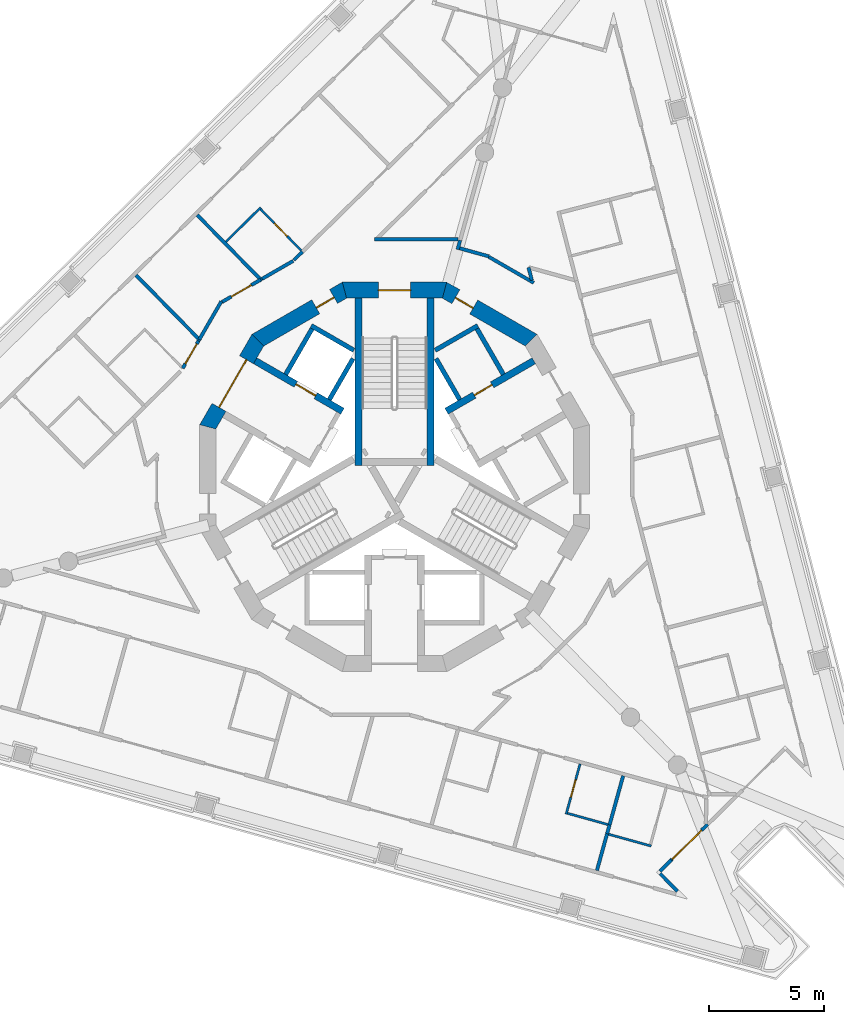
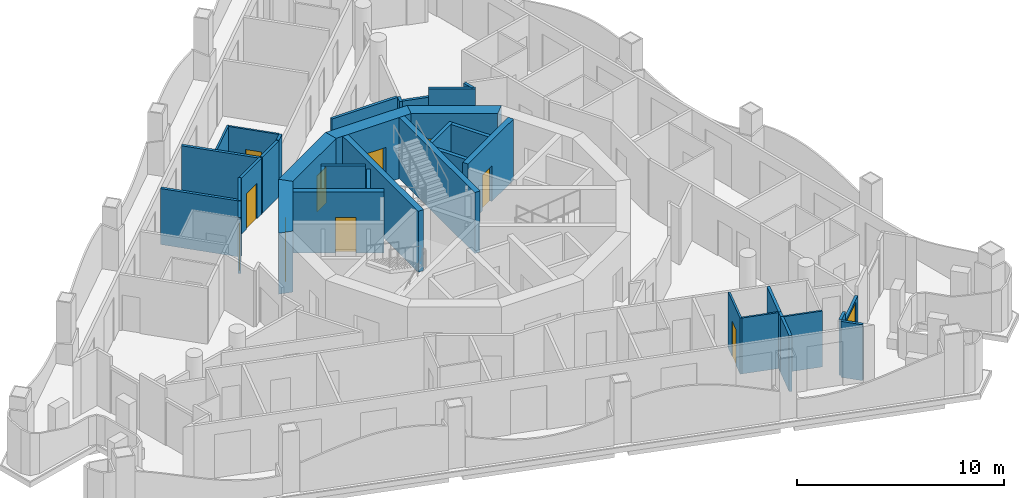
# One storey, part 5 of 14: 37 walls, 11 doors, 11 openings.
"""IFC4 building model written with IfcOpenShell, lengths in metres."""

import ifcopenshell
import ifcopenshell.guid

model = None  # the IFC model being written
_history = None  # IfcOwnerHistory: only IFC2X3 demands one
_inside = {}  # id of a spatial element -> (the spatial element, [elements in it])
_under = {}  # id of a project, library or spatial element -> (it, [spatial elements below it])
_declared = {}  # id of a project -> (the project, [libraries it declares])
_typed = {}  # id of a type object -> (the type object, [elements of that type])
_made_of = {}  # id of a material, layer set ... -> (it, [elements and type objects made of it])


def new_model(schema):
    """Start an empty IFC model of exactly this schema.

    Asked for "IFC4X3", IfcOpenShell would pick the latest addendum, in which some entities
    have other attributes; the version numbers below select the first issue.
    IFC2X3 requires an IfcOwnerHistory on every rooted entity: one is made here for all.
    """
    global model, _history
    if schema == "IFC4X3":
        model = ifcopenshell.file(schema_version=(4, 3, 0, 0))
    else:
        model = ifcopenshell.file(schema=schema)
    _inside.clear()
    _under.clear()
    _declared.clear()
    _typed.clear()
    _made_of.clear()
    _history = None
    if model.schema == "IFC2X3":
        org = make("IfcOrganization", Name="unknown")
        user = make(
            "IfcPersonAndOrganization",
            ThePerson=make("IfcPerson", FamilyName="unknown"),
            TheOrganization=org,
        )
        app = make(
            "IfcApplication",
            ApplicationDeveloper=org,
            Version="unknown",
            ApplicationFullName="unknown",
            ApplicationIdentifier="unknown",
        )
        _history = make(
            "IfcOwnerHistory",
            OwningUser=user,
            OwningApplication=app,
            ChangeAction="ADDED",
            CreationDate=0,
        )
    return model


def make(cls, **values):
    """One entity of the class cls with the attributes given. An attribute that is None is left unset."""
    return model.create_entity(
        cls, **{name: value for name, value in values.items() if value is not None}
    )


def rooted(cls, **values):
    """An entity with a GlobalId (a new one), such as an element, a storey or a relation."""
    return make(cls, GlobalId=ifcopenshell.guid.new(), OwnerHistory=_history, **values)


def si_unit(unit_type, name, prefix=None):
    """IfcSIUnit, for example si_unit("LENGTHUNIT", "METRE", prefix="MILLI")."""
    return make("IfcSIUnit", UnitType=unit_type, Prefix=prefix, Name=name)


def assignment(units):
    """IfcUnitAssignment: the units of a project."""
    return None if units is None else make("IfcUnitAssignment", Units=units)


def point(xyz):
    """IfcCartesianPoint."""
    return None if xyz is None else make("IfcCartesianPoint", Coordinates=xyz)


def direction(xyz):
    """IfcDirection."""
    return None if xyz is None else make("IfcDirection", DirectionRatios=xyz)


def frame(location, z_axis=None, x_axis=None):
    """IfcAxis2Placement3D, a coordinate frame: its origin and axes. An axis left out is left unset."""
    return make(
        "IfcAxis2Placement3D",
        Location=point(location),
        Axis=direction(z_axis),
        RefDirection=direction(x_axis),
    )


def frame_2d(location, x_axis=None):
    """IfcAxis2Placement2D, a coordinate frame in the plane: its origin and x axis."""
    return make(
        "IfcAxis2Placement2D", Location=point(location), RefDirection=direction(x_axis)
    )


def origin():
    """The frame at (0, 0, 0) with its axes left unset."""
    return frame((0.0, 0.0, 0.0))


def place(relative_to, where):
    """IfcLocalPlacement: puts the frame where relative to a parent placement (None: the world)."""
    return make(
        "IfcLocalPlacement", PlacementRelTo=relative_to, RelativePlacement=where
    )


def context(
    kind, dimensions, precision=None, world=None, true_north=None, identifier=None
):
    """IfcGeometricRepresentationContext, for example the 3D "Model" context."""
    return make(
        "IfcGeometricRepresentationContext",
        ContextIdentifier=identifier,
        ContextType=kind,
        CoordinateSpaceDimension=dimensions,
        Precision=precision,
        WorldCoordinateSystem=world,
        TrueNorth=true_north,
    )


def subcontext(parent, identifier, kind, view, scale=None):
    """IfcGeometricRepresentationSubContext, for example "Body" below "Model"."""
    return make(
        "IfcGeometricRepresentationSubContext",
        ContextIdentifier=identifier,
        ContextType=kind,
        ParentContext=parent,
        TargetScale=scale,
        TargetView=view,
    )


def project(units=None, contexts=None):
    """IfcProject with its units and contexts."""
    return rooted(
        "IfcProject",
        Name="project",
        RepresentationContexts=contexts,
        UnitsInContext=assignment(units),
    )


def spatial(cls, under=None, at=None, **own):
    """A site, building, storey or space (cls), placed at a placement, below another one or the project."""
    s = rooted(cls, ObjectPlacement=at, **own)
    if under is not None:
        _under.setdefault(under.id(), (under, []))[1].append(s)
    return s


def polyline(points):
    """IfcPolyline through the points."""
    return make("IfcPolyline", Points=[point(p) for p in points])


def profile(cls, at=None, kind="AREA", **sizes):
    """A parametric profile (cls). Its sizes go by their IFC names, for example OverallWidth=200.0."""
    return make(cls, ProfileType=kind, Position=at, **sizes)


def rectangle(**sizes):
    """IfcRectangleProfileDef."""
    return profile("IfcRectangleProfileDef", **sizes)


def outline(outer, holes=None, kind="AREA"):
    """IfcArbitraryClosedProfileDef: a profile drawn as a closed curve; with holes, ...WithVoids."""
    if holes is None:
        return make("IfcArbitraryClosedProfileDef", ProfileType=kind, OuterCurve=outer)
    return make(
        "IfcArbitraryProfileDefWithVoids",
        ProfileType=kind,
        OuterCurve=outer,
        InnerCurves=holes,
    )


def extrude(swept, where, along, depth):
    """IfcExtrudedAreaSolid: the profile swept, set in the frame where, extruded along a direction by depth."""
    return make(
        "IfcExtrudedAreaSolid",
        SweptArea=swept,
        Position=where,
        ExtrudedDirection=direction(along),
        Depth=depth,
    )


def shape(context_of_items, identifier, shape_type, items):
    """IfcShapeRepresentation: the items that make up one representation, for example the "Body"."""
    return make(
        "IfcShapeRepresentation",
        ContextOfItems=context_of_items,
        RepresentationIdentifier=identifier,
        RepresentationType=shape_type,
        Items=items,
    )


def material(Name=None, Category=None):
    """IfcMaterial."""
    return make("IfcMaterial", Name=Name, Category=Category)


def layer(
    of_material, thickness, ventilated=None, Name=None, Category=None, Priority=None
):
    """IfcMaterialLayer: one layer of a wall or slab, of a material (None: an air gap)."""
    return make(
        "IfcMaterialLayer",
        Material=of_material,
        LayerThickness=thickness,
        IsVentilated=ventilated,
        Name=Name,
        Category=Category,
        Priority=Priority,
    )


def layer_set(layers, Name=None):
    """IfcMaterialLayerSet."""
    return make("IfcMaterialLayerSet", MaterialLayers=layers, LayerSetName=Name)


def made_of(thing, what):
    """Note that an element or type object is made of a material, layer set ...; save() writes the relation."""
    if what is not None:
        _made_of.setdefault(what.id(), (what, []))[1].append(thing)
    return thing


def type_object(cls, material=None, **own):
    """A type object (cls), such as IfcWallType, which elements share."""
    return made_of(rooted(cls, **own), material)


def element(
    cls,
    number,
    at=None,
    inside=None,
    cuts=None,
    type_object=None,
    material=None,
    context=None,
    identifier="Body",
    shape_type=None,
    held_by="IfcProductDefinitionShape",
    body=None,
    shapes=None,
    **own,
):
    """One element of the class cls, such as IfcWall. Its Tag is "e" and its number.

    at: its placement. inside: the storey or other place that contains it. cuts: it is an
    opening in that element (IfcRelVoidsElement). A single representation is given by context,
    identifier, shape_type and body (its items); several are given by shapes. held_by: the class
    of the entity that holds the representations. save() writes the other relations.
    """
    e = rooted(cls, Tag="e%d" % number, ObjectPlacement=at, **own)
    if body is not None:
        shapes = [shape(context, identifier, shape_type, body)]
    if shapes is not None:
        e.Representation = make(held_by, Representations=shapes)
    if inside is not None:
        _inside.setdefault(inside.id(), (inside, []))[1].append(e)
    if cuts is not None:
        rooted(
            "IfcRelVoidsElement", RelatingBuildingElement=cuts, RelatedOpeningElement=e
        )
    if type_object is not None:
        _typed.setdefault(type_object.id(), (type_object, []))[1].append(e)
    return made_of(e, material)


def fill(opening, filler):
    """IfcRelFillsElement: the door or window that sits in an opening."""
    return rooted(
        "IfcRelFillsElement",
        RelatingOpeningElement=opening,
        RelatedBuildingElement=filler,
    )


def aggregate(whole, parts):
    """IfcRelAggregates: a whole, such as a stair, and the parts it consists of."""
    return rooted("IfcRelAggregates", RelatingObject=whole, RelatedObjects=parts)


def save(model, path):
    """Write the relations noted so far, then the file.

    IfcRelAggregates (storeys below a building ...), IfcRelContainedInSpatialStructure (elements
    in a storey), IfcRelDefinesByType, IfcRelAssociatesMaterial and IfcRelDeclares: one each for
    every whole, place, type object, material and project.
    """
    for whole, parts in _under.values():
        aggregate(whole, parts)
    for where, things in _inside.values():
        rooted(
            "IfcRelContainedInSpatialStructure",
            RelatedElements=things,
            RelatingStructure=where,
        )
    for kind, things in _typed.values():
        rooted("IfcRelDefinesByType", RelatedObjects=things, RelatingType=kind)
    for what, things in _made_of.values():
        rooted("IfcRelAssociatesMaterial", RelatedObjects=things, RelatingMaterial=what)
    for by, libraries in _declared.values():
        rooted("IfcRelDeclares", RelatingContext=by, RelatedDefinitions=libraries)
    model.write(path)


model = new_model("IFC4")

# Units and contexts
model_context = context("Model", 3, precision=1e-05, world=origin(), true_north=direction((0.0, 1.0)))
body_context = subcontext(model_context, "Body", "Model", "MODEL_VIEW")
ifc_project = project(units=[si_unit("LENGTHUNIT", "METRE"), si_unit("AREAUNIT", "SQUARE_METRE"), si_unit("VOLUMEUNIT", "CUBIC_METRE"), si_unit("PLANEANGLEUNIT", "RADIAN"), si_unit("MASSUNIT", "GRAM", prefix="KILO")], contexts=[model_context])

# Site, building, storey
site_placement = place(None, origin())
site = spatial("IfcSite", under=ifc_project, at=site_placement, CompositionType="ELEMENT")
building_placement = place(site_placement, origin())
building = spatial("IfcBuilding", under=site, at=building_placement, Name="Trine Commons Tower", CompositionType="ELEMENT")
storey_placement = place(building_placement, frame((0.0, 0.0, 252.89990234375)))
storey = spatial("IfcBuildingStorey", under=building, at=storey_placement, Name="L66", CompositionType="ELEMENT", Elevation=252.89990234375)

# Wall, opening, door
ifc_material_1 = material(Name="Aluminium-framed insulated wall panel", Category="aluminium")
ifc_layer_1 = layer(ifc_material_1, 0.14990234375)
ifc_layer_set_1 = layer_set([ifc_layer_1], Name="Aluminium-framed insulated wall panel")
wall_type_1 = type_object("IfcWallType", Name="Glazed frame wall 150, EI 60", PredefinedType="SOLIDWALL", material=ifc_layer_set_1)
wall_1_placement = place(storey_placement, frame((93.665283203125, 47.3408203125, 0.0), z_axis=(0.0, 0.0, 1.0), x_axis=(-0.713234254618, -0.700925743599, 0.0)))
wall_1 = element("IfcWall", 1, at=wall_1_placement, inside=storey, type_object=wall_type_1, Name="Glazed frame wall P2.4", PredefinedType="SOLIDWALL", context=body_context, shape_type="SweptSolid", body=[
    extrude(outline(polyline([(0.0, -0.074951171875), (2.221435546875, -0.074951171875), (2.221435546875, 0.074951171875), (0.0, 0.074951171875), (0.0, -0.074951171875)])), origin(), (0.0, 0.0, 1.0), 2.75),
])
opening_1_placement = place(wall_1_placement, frame((0.37158203125, 0.0, 0.0)))
opening_1 = element("IfcOpeningElement", 2, at=opening_1_placement, cuts=wall_1, Name="Opening BD-7P2-02", PredefinedType="OPENING", context=body_context, shape_type="SweptSolid", body=[
    extrude(rectangle(XDim=1.800048828125, YDim=2.60009765625, at=frame_2d((0.89990234375, 1.300048828125))), frame((0.0, 0.0849609375, 0.0), z_axis=(0.0, -1.0, 0.0), x_axis=(1.0, 0.0, 0.0)), (0.0, 0.0, 1.0), 0.169921875),
])
ifc_material_2 = material(Name="Anodised aluminium frame with double glazing", Category="aluminium")
door_type_1 = type_object("IfcDoorType", Name="Sliding loggia door 1800x2600", OperationType="SLIDING_TO_LEFT", PredefinedType="DOOR", material=ifc_material_2)
door_1_placement = place(opening_1_placement, origin())
door_1 = element("IfcDoor", 3, at=door_1_placement, inside=storey, type_object=door_type_1, Name="Loggia door P2 2", OperationType="SLIDING_TO_LEFT", OverallHeight=2.60009765625, OverallWidth=1.800048828125, PredefinedType="DOOR", context=body_context, shape_type="SweptSolid", body=[
    extrude(rectangle(XDim=1.800048828125, YDim=2.60009765625, at=frame_2d((0.89990234375, 1.300048828125))), frame((0.0, 0.02490234375, 0.0), z_axis=(0.0, -1.0, 0.0), x_axis=(1.0, 0.0, 0.0)), (0.0, 0.0, 1.0), 0.050048828125),
])
fill(opening_1, door_1)

# Walls
wall_2_placement = place(storey_placement, frame((92.080810546875, 45.78369140625, 0.0), z_axis=(0.0, 0.0, 1.0), x_axis=(-0.713333755576, -0.700824480991, 0.0)))
element("IfcWall", 4, at=wall_2_placement, inside=storey, type_object=wall_type_1, Name="Glazed frame wall P2.5", PredefinedType="SOLIDWALL", context=body_context, shape_type="SweptSolid", body=[
    extrude(outline(polyline([(0.68994140625, 0.074951171875), (0.0, 0.074951171875), (0.0, -0.074951171875), (0.68994140625, -0.074951171875), (0.68994140625, 0.074951171875)])), origin(), (0.0, 0.0, 1.0), 3.300048828125),
])
wall_3_placement = place(storey_placement, frame((91.510498046875, 45.2724609375, 0.0), z_axis=(0.0, 0.0, 1.0), x_axis=(0.700999978355, -0.71316129336, 0.0)))
element("IfcWall", 5, at=wall_3_placement, inside=storey, type_object=wall_type_1, Name="Glazed frame wall R8", PredefinedType="SOLIDWALL", context=body_context, shape_type="SweptSolid", body=[
    extrude(outline(polyline([(0.110107421875, 0.074951171875), (0.110107421875, -0.074951171875), (1.19580078125, -0.074951171875), (1.19580078125, 0.074951171875), (0.110107421875, 0.074951171875)])), origin(), (0.0, 0.0, 1.0), 3.300048828125),
])

# Wall, opening, door
ifc_material_3 = material(Name="Concrete C50/60", Category="concrete")
ifc_layer_2 = layer(ifc_material_3, 0.300048828125)
ifc_layer_set_2 = layer_set([ifc_layer_2], Name="Concrete C50/60")
wall_type_2 = type_object("IfcWallType", Name="RC shear wall 300 mm, C50/60", PredefinedType="SHEAR", material=ifc_layer_set_2)
wall_4_placement = place(storey_placement, frame((77.73095703125, 65.368896484375, 0.0), z_axis=(0.0, 0.0, 1.0), x_axis=(-0.866035918664, 0.499981787252, 0.0)))
wall_4 = element("IfcWall", 6, at=wall_4_placement, inside=storey, type_object=wall_type_2, Name="Core cross wall SWC-02 L66", PredefinedType="SHEAR", context=body_context, shape_type="SweptSolid", body=[
    extrude(rectangle(XDim=4.400634765625, YDim=0.300048828125, at=frame_2d((2.2001953125, 0.0))), origin(), (0.0, 0.0, 1.0), 3.60009765625),
])
opening_2_placement = place(wall_4_placement, frame((1.3505859375, 0.0, 0.0)))
opening_2 = element("IfcOpeningElement", 7, at=opening_2_placement, cuts=wall_4, Name="Opening LD8", PredefinedType="OPENING", context=body_context, shape_type="SweptSolid", body=[
    extrude(rectangle(XDim=1.0, YDim=2.10009765625, at=frame_2d((0.5, 1.050048828125))), frame((0.0, 0.159912109375, 0.0), z_axis=(0.0, -1.0, 0.0), x_axis=(1.0, 0.0, 0.0)), (0.0, 0.0, 1.0), 0.320068359375),
])
ifc_material_4 = material(Name="Stainless steel sliding door leaves", Category="steel")
door_type_2 = type_object("IfcDoorType", Name="Lift landing door, centre-opening sliding 1000 x 2100, FD90", OperationType="DOUBLE_DOOR_SLIDING", PredefinedType="DOOR", material=ifc_material_4)
door_2_placement = place(opening_2_placement, origin())
door_2 = element("IfcDoor", 8, at=door_2_placement, inside=storey, type_object=door_type_2, Name="Lift landing door HR4 L66", OperationType="DOUBLE_DOOR_SLIDING", OverallHeight=2.10009765625, OverallWidth=1.0, PredefinedType="DOOR", context=body_context, shape_type="SweptSolid", body=[
    extrude(rectangle(XDim=1.0, YDim=2.10009765625, at=frame_2d((0.5, 1.050048828125))), frame((0.0, 0.02490234375, 0.0), z_axis=(0.0, -1.0, 0.0), x_axis=(1.0, 0.0, 0.0)), (0.0, 0.0, 1.0), 0.050048828125),
])
fill(opening_2, door_2)

wall_5_placement = place(storey_placement, frame((82.26904296875, 65.368896484375, 0.0), z_axis=(0.0, 0.0, 1.0), x_axis=(0.866035918664, 0.499981787252, 0.0)))
wall_5 = element("IfcWall", 9, at=wall_5_placement, inside=storey, type_object=wall_type_2, Name="Core cross wall SWC-05 L66", PredefinedType="SHEAR", context=body_context, shape_type="SweptSolid", body=[
    extrude(rectangle(XDim=4.400634765625, YDim=0.300048828125, at=frame_2d((2.2001953125, 0.0))), origin(), (0.0, 0.0, 1.0), 3.60009765625),
])
opening_3_placement = place(wall_5_placement, frame((1.400390625, 0.0, 0.0)))
opening_3 = element("IfcOpeningElement", 10, at=opening_3_placement, cuts=wall_5, Name="Opening K16.10", PredefinedType="OPENING", context=body_context, shape_type="SweptSolid", body=[
    extrude(rectangle(XDim=0.89990234375, YDim=2.10009765625, at=frame_2d((0.449951171875, 1.050048828125))), frame((0.0, 0.159912109375, 0.0), z_axis=(0.0, -1.0, 0.0), x_axis=(1.0, 0.0, 0.0)), (0.0, 0.0, 1.0), 0.320068359375),
])
ifc_material_5 = material(Name="Steel door leaf, fire-rated", Category="steel")
door_type_3 = type_object("IfcDoorType", Name="Core room door, single leaf 900 x 2100, FD30S", OperationType="SINGLE_SWING_LEFT", PredefinedType="DOOR", material=ifc_material_5)
door_3_placement = place(opening_3_placement, origin())
door_3 = element("IfcDoor", 11, at=door_3_placement, inside=storey, type_object=door_type_3, Name="Door to Linen store L66", OperationType="SINGLE_SWING_LEFT", OverallHeight=2.10009765625, OverallWidth=0.89990234375, PredefinedType="DOOR", context=body_context, shape_type="SweptSolid", body=[
    extrude(rectangle(XDim=0.89990234375, YDim=2.10009765625, at=frame_2d((0.449951171875, 1.050048828125))), frame((0.0, 0.02490234375, 0.0), z_axis=(0.0, -1.0, 0.0), x_axis=(1.0, 0.0, 0.0)), (0.0, 0.0, 1.0), 0.050048828125),
])
fill(opening_3, door_3)

# Walls
for number, where, z_axis, x_axis, name in (
    (12, (78.425048828125, 63.0009765625, 0.0), (0.0, 0.0, 1.0), (0.0, 1.0, 0.0), "Core cross wall SWC-08 L66"),
    (13, (81.574951171875, 63.0009765625, 0.0), (0.0, 0.0, 1.0), (0.0, 1.0, 0.0), "Core cross wall SWC-17 L66"),
):
    element("IfcWall", number, at=place(storey_placement, frame(where, z_axis=z_axis, x_axis=x_axis)), inside=storey, type_object=wall_type_2, Name=name, PredefinedType="SHEAR", context=body_context, shape_type="SweptSolid", body=[
        extrude(rectangle(XDim=7.299072265625, YDim=0.300048828125, at=frame_2d((3.6494140625, 0.0))), origin(), (0.0, 0.0, 1.0), 3.60009765625),
    ])

# Wall, opening, door
ifc_layer_3 = layer(ifc_material_3, 0.699951171875)
ifc_layer_set_3 = layer_set([ifc_layer_3], Name="Concrete C50/60")
wall_type_3 = type_object("IfcWallType", Name="RC shear wall 700 mm, C50/60", PredefinedType="SHEAR", material=ifc_layer_set_3)
wall_6_placement = place(storey_placement, frame((86.047607421875, 68.41943359375, 0.0), z_axis=(0.0, 0.0, 1.0), x_axis=(-0.866034756103, 0.499983800959, 0.0)))
wall_6 = element("IfcWall", 14, at=wall_6_placement, inside=storey, type_object=wall_type_3, Name="Core wall CWG-03 L66", PredefinedType="SHEAR", context=body_context, shape_type="SweptSolid", body=[
    extrude(outline(polyline([(0.0, -0.35009765625), (4.55517578125, -0.35009765625), (4.36767578125, 0.35009765625), (0.1875, 0.35009765625), (0.0, -0.35009765625)])), origin(), (0.0, 0.0, 1.0), 3.60009765625),
])
opening_4_placement = place(wall_6_placement, frame((2.990966796875, 0.0, 0.0)))
opening_4 = element("IfcOpeningElement", 15, at=opening_4_placement, cuts=wall_6, Name="Opening K16.12", PredefinedType="OPENING", context=body_context, shape_type="SweptSolid", body=[
    extrude(rectangle(XDim=0.89990234375, YDim=2.10009765625, at=frame_2d((0.449951171875, 1.050048828125))), frame((0.0, 0.35986328125, 0.0), z_axis=(0.0, -1.0, 0.0), x_axis=(1.0, 0.0, 0.0)), (0.0, 0.0, 1.0), 0.719970703125),
])
door_4_placement = place(opening_4_placement, origin())
door_4 = element("IfcDoor", 16, at=door_4_placement, inside=storey, type_object=door_type_3, Name="Door to Core WC L66", OperationType="SINGLE_SWING_RIGHT", OverallHeight=2.10009765625, OverallWidth=0.89990234375, PredefinedType="DOOR", context=body_context, shape_type="SweptSolid", body=[
    extrude(rectangle(XDim=0.89990234375, YDim=2.10009765625, at=frame_2d((0.449951171875, 1.050048828125))), frame((0.0, 0.0751953125, 0.0), z_axis=(0.0, -1.0, 0.0), x_axis=(1.0, 0.0, 0.0)), (0.0, 0.0, 1.0), 0.050048828125),
])
fill(opening_4, door_4)

wall_7_placement = place(storey_placement, frame((82.277587890625, 70.650146484375, 0.0), z_axis=(0.0, 0.0, 1.0), x_axis=(-1.0, 0.0, 0.0)))
wall_7 = element("IfcWall", 17, at=wall_7_placement, inside=storey, type_object=wall_type_3, Name="Core wall CWG-04 L66", PredefinedType="SHEAR", context=body_context, shape_type="SweptSolid", body=[
    extrude(outline(polyline([(0.0, -0.35009765625), (4.55517578125, -0.35009765625), (4.36767578125, 0.35009765625), (0.1875, 0.35009765625), (0.0, -0.35009765625)])), origin(), (0.0, 0.0, 1.0), 3.60009765625),
])
opening_5_placement = place(wall_7_placement, frame((1.57763671875, 0.0, 0.0)))
opening_5 = element("IfcOpeningElement", 18, at=opening_5_placement, cuts=wall_7, Name="Opening K16.01", PredefinedType="OPENING", context=body_context, shape_type="SweptSolid", body=[
    extrude(rectangle(XDim=1.39990234375, YDim=2.10009765625, at=frame_2d((0.699951171875, 1.050048828125))), frame((0.0, 0.35986328125, 0.0), z_axis=(0.0, -1.0, 0.0), x_axis=(1.0, 0.0, 0.0)), (0.0, 0.0, 1.0), 0.719970703125),
])
ifc_material_6 = material(Name="Steel door leaves, fire-rated", Category="steel")
door_type_4 = type_object("IfcDoorType", Name="Stair door, double leaf 1400 x 2100, FD90", OperationType="DOUBLE_DOOR_SINGLE_SWING", PredefinedType="DOOR", material=ifc_material_6)
door_5_placement = place(opening_5_placement, origin())
door_5 = element("IfcDoor", 19, at=door_5_placement, inside=storey, type_object=door_type_4, Name="Stair door to Exit stair ST1C L66", OperationType="DOUBLE_DOOR_SINGLE_SWING", OverallHeight=2.10009765625, OverallWidth=1.39990234375, PredefinedType="DOOR", context=body_context, shape_type="SweptSolid", body=[
    extrude(rectangle(XDim=1.39990234375, YDim=2.10009765625, at=frame_2d((0.699951171875, 1.050048828125))), frame((0.0, 0.02490234375, 0.0), z_axis=(0.0, -1.0, 0.0), x_axis=(1.0, 0.0, 0.0)), (0.0, 0.0, 1.0), 0.050048828125),
])
fill(opening_5, door_5)

wall_8_placement = place(storey_placement, frame((77.8974609375, 70.697021484375, 0.0), z_axis=(0.0, 0.0, 1.0), x_axis=(-0.866034756103, -0.499983800959, 0.0)))
wall_8 = element("IfcWall", 20, at=wall_8_placement, inside=storey, type_object=wall_type_3, Name="Core wall CWG-05 L66", PredefinedType="SHEAR", context=body_context, shape_type="SweptSolid", body=[
    extrude(outline(polyline([(0.0, -0.35009765625), (4.55517578125, -0.35009765625), (4.36767578125, 0.35009765625), (0.1875, 0.35009765625), (0.0, -0.35009765625)])), origin(), (0.0, 0.0, 1.0), 3.60009765625),
])
opening_6_placement = place(wall_8_placement, frame((0.641845703125, 0.0, 0.0)))
opening_6 = element("IfcOpeningElement", 21, at=opening_6_placement, cuts=wall_8, Name="Opening K16.13", PredefinedType="OPENING", context=body_context, shape_type="SweptSolid", body=[
    extrude(rectangle(XDim=0.89990234375, YDim=2.10009765625, at=frame_2d((0.449951171875, 1.050048828125))), frame((0.0, 0.35986328125, 0.0), z_axis=(0.0, -1.0, 0.0), x_axis=(1.0, 0.0, 0.0)), (0.0, 0.0, 1.0), 0.719970703125),
])
door_6_placement = place(opening_6_placement, origin())
door_6 = element("IfcDoor", 22, at=door_6_placement, inside=storey, type_object=door_type_3, Name="Door to Accessible WC L66", OperationType="SINGLE_SWING_LEFT", OverallHeight=2.10009765625, OverallWidth=0.89990234375, PredefinedType="DOOR", context=body_context, shape_type="SweptSolid", body=[
    extrude(rectangle(XDim=0.89990234375, YDim=2.10009765625, at=frame_2d((0.449951171875, 1.050048828125))), frame((0.0, 0.0751953125, 0.0), z_axis=(0.0, -1.0, 0.0), x_axis=(1.0, 0.0, 0.0)), (0.0, 0.0, 1.0), 0.050048828125),
])
fill(opening_6, door_6)

wall_9_placement = place(storey_placement, frame((74.08056640625, 68.547607421875, 0.0), z_axis=(0.0, 0.0, 1.0), x_axis=(-0.499983800959, -0.866034756103, 0.0)))
wall_9 = element("IfcWall", 23, at=wall_9_placement, inside=storey, type_object=wall_type_3, Name="Core wall CWG-06 L66", PredefinedType="SHEAR", context=body_context, shape_type="SweptSolid", body=[
    extrude(outline(polyline([(0.0, -0.35009765625), (4.55517578125, -0.35009765625), (4.36767578125, 0.35009765625), (0.1875, 0.35009765625), (0.0, -0.35009765625)])), origin(), (0.0, 0.0, 1.0), 3.60009765625),
])
opening_7_placement = place(wall_9_placement, frame((1.077392578125, 0.0, 0.0)))
opening_7 = element("IfcOpeningElement", 24, at=opening_7_placement, cuts=wall_9, Name="Opening K16.06", PredefinedType="OPENING", context=body_context, shape_type="SweptSolid", body=[
    extrude(rectangle(XDim=2.39990234375, YDim=2.10009765625, at=frame_2d((1.199951171875, 1.050048828125))), frame((0.0, 0.35986328125, 0.0), z_axis=(0.0, -1.0, 0.0), x_axis=(1.0, 0.0, 0.0)), (0.0, 0.0, 1.0), 0.719970703125),
])
door_type_5 = type_object("IfcDoorType", Name="Lobby door, double leaf 2400 x 2100, FD60", OperationType="DOUBLE_DOOR_SINGLE_SWING", PredefinedType="DOOR", material=ifc_material_6)
door_7_placement = place(opening_7_placement, origin())
door_7 = element("IfcDoor", 25, at=door_7_placement, inside=storey, type_object=door_type_5, Name="Lobby door, Passenger lift lobby B L66", OperationType="DOUBLE_DOOR_SINGLE_SWING", OverallHeight=2.10009765625, OverallWidth=2.39990234375, PredefinedType="DOOR", context=body_context, shape_type="SweptSolid", body=[
    extrude(rectangle(XDim=2.39990234375, YDim=2.10009765625, at=frame_2d((1.199951171875, 1.050048828125))), frame((0.0, 0.02490234375, 0.0), z_axis=(0.0, -1.0, 0.0), x_axis=(1.0, 0.0, 0.0)), (0.0, 0.0, 1.0), 0.050048828125),
])
fill(opening_7, door_7)

# Walls
ifc_material_7 = material(Name="Fire-rated gypsum shaft wall system")
ifc_layer_4 = layer(ifc_material_7, 0.199951171875)
ifc_layer_set_4 = layer_set([ifc_layer_4], Name="Fire-rated gypsum shaft wall system")
wall_type_4 = type_object("IfcWallType", Name="Shaft wall 200 mm, EI 120", PredefinedType="PARTITIONING", material=ifc_layer_set_4)
wall_10_placement = place(storey_placement, frame((75.2509765625, 66.97412109375, 0.0), z_axis=(0.0, 0.0, 1.0), x_axis=(0.500136062276, 0.86594683394, 0.0)))
element("IfcWall", 26, at=wall_10_placement, inside=storey, type_object=wall_type_4, Name="Shaft wall L66", PredefinedType="PARTITIONING", context=body_context, shape_type="SweptSolid", body=[
    extrude(rectangle(XDim=2.299072265625, YDim=0.199951171875, at=frame_2d((1.1494140625, 0.0))), origin(), (0.0, 0.0, 1.0), 3.300048828125),
])
wall_11_placement = place(storey_placement, frame((77.156005859375, 65.8740234375, 0.0), z_axis=(0.0, 0.0, 1.0), x_axis=(0.499865770674, 0.866102887253, 0.0)))
element("IfcWall", 27, at=wall_11_placement, inside=storey, type_object=wall_type_4, Name="Shaft wall L66", PredefinedType="PARTITIONING", context=body_context, shape_type="SweptSolid", body=[
    extrude(rectangle(XDim=2.064453125, YDim=0.199951171875, at=frame_2d((1.0322265625, 0.0))), origin(), (0.0, 0.0, 1.0), 3.300048828125),
])
for number, where, z_axis, x_axis, name in (
    (28, (78.22509765625, 68.028076171875, 0.0), (0.0, 0.0, 1.0), (-0.866130725101, 0.499817533742, 0.0), "Shaft wall L66"),
    (29, (81.77490234375, 68.028076171875, 0.0), (0.0, 0.0, 1.0), (0.866130725101, 0.499817533742, 0.0), "Shaft wall L66"),
):
    element("IfcWall", number, at=place(storey_placement, frame(where, z_axis=z_axis, x_axis=x_axis)), inside=storey, type_object=wall_type_4, Name=name, PredefinedType="PARTITIONING", context=body_context, shape_type="SweptSolid", body=[
        extrude(rectangle(XDim=2.148681640625, YDim=0.199951171875, at=frame_2d((1.07421875, 0.0))), origin(), (0.0, 0.0, 1.0), 3.300048828125),
    ])
wall_12_placement = place(storey_placement, frame((82.843994140625, 65.8740234375, 0.0), z_axis=(0.0, 0.0, 1.0), x_axis=(-0.499865770674, 0.866102887253, 0.0)))
element("IfcWall", 30, at=wall_12_placement, inside=storey, type_object=wall_type_4, Name="Shaft wall L66", PredefinedType="PARTITIONING", context=body_context, shape_type="SweptSolid", body=[
    extrude(rectangle(XDim=2.064453125, YDim=0.199951171875, at=frame_2d((1.0322265625, 0.0))), origin(), (0.0, 0.0, 1.0), 3.300048828125),
])
wall_13_placement = place(storey_placement, frame((84.7490234375, 66.97412109375, 0.0), z_axis=(0.0, 0.0, 1.0), x_axis=(-0.500136062276, 0.86594683394, 0.0)))
element("IfcWall", 31, at=wall_13_placement, inside=storey, type_object=wall_type_4, Name="Shaft wall L66", PredefinedType="PARTITIONING", context=body_context, shape_type="SweptSolid", body=[
    extrude(rectangle(XDim=2.299072265625, YDim=0.199951171875, at=frame_2d((1.1494140625, 0.0))), origin(), (0.0, 0.0, 1.0), 3.300048828125),
])
ifc_material_8 = material(Name="Gypsum plasterboard on steel stud", Category="steel")
ifc_layer_5 = layer(ifc_material_8, 0.14990234375)
ifc_layer_set_5 = layer_set([ifc_layer_5], Name="Gypsum plasterboard on steel stud")
wall_type_5 = type_object("IfcWallType", Name="Unit and corridor wall 150 mm, EI 60", PredefinedType="PARTITIONING", material=ifc_layer_set_5)
wall_14_placement = place(storey_placement, frame((68.720947265625, 71.3076171875, 0.0), z_axis=(0.0, 0.0, 1.0), x_axis=(0.700815785944, -0.713342298039, 0.0)))
element("IfcWall", 32, at=wall_14_placement, inside=storey, type_object=wall_type_5, Name="Partition 020", PredefinedType="PARTITIONING", context=body_context, shape_type="SweptSolid", body=[
    extrude(rectangle(XDim=4.014892578125, YDim=0.14990234375, at=frame_2d((2.00732421875, 0.0))), origin(), (0.0, 0.0, 1.0), 3.300048828125),
])

# Wall, opening, door
wall_15_placement = place(storey_placement, frame((70.758056640625, 67.242919921875, 0.0), z_axis=(0.0, 0.0, 1.0), x_axis=(0.49979916758, 0.866141323391, 0.0)))
wall_15 = element("IfcWall", 33, at=wall_15_placement, inside=storey, type_object=wall_type_5, Name="Partition 028", PredefinedType="PARTITIONING", context=body_context, shape_type="SweptSolid", body=[
    extrude(rectangle(XDim=1.37744140625, YDim=0.14990234375, at=frame_2d((0.688720703125, 0.0))), origin(), (0.0, 0.0, 1.0), 3.300048828125),
])
opening_8_placement = place(wall_15_placement, frame((0.2275390625, 0.0, 0.0)))
opening_8 = element("IfcOpeningElement", 34, at=opening_8_placement, cuts=wall_15, Name="Opening D-7B05", PredefinedType="OPENING", context=body_context, shape_type="SweptSolid", body=[
    extrude(rectangle(XDim=1.0, YDim=2.10009765625, at=frame_2d((0.5, 1.050048828125))), frame((0.0, 0.0849609375, 0.0), z_axis=(0.0, -1.0, 0.0), x_axis=(1.0, 0.0, 0.0)), (0.0, 0.0, 1.0), 0.169921875),
])
ifc_material_9 = material(Name="Timber fire door set", Category="wood")
door_type_6 = type_object("IfcDoorType", Name="Bedroom door 1000 x 2100, FD30S", OperationType="NOTDEFINED", PredefinedType="DOOR", material=ifc_material_9)
door_8_placement = place(opening_8_placement, origin())
door_8 = element("IfcDoor", 35, at=door_8_placement, inside=storey, type_object=door_type_6, Name="Door D-7B05", OperationType="SINGLE_SWING_RIGHT", OverallHeight=2.10009765625, OverallWidth=1.0, PredefinedType="DOOR", context=body_context, shape_type="SweptSolid", body=[
    extrude(rectangle(XDim=1.0, YDim=2.10009765625, at=frame_2d((0.5, 1.050048828125))), frame((0.0, 0.02490234375, 0.0), z_axis=(0.0, -1.0, 0.0), x_axis=(1.0, 0.0, 0.0)), (0.0, 0.0, 1.0), 0.050048828125),
])
fill(opening_8, door_8)

# Walls
wall_16_placement = place(storey_placement, frame((71.389892578125, 73.931396484375, 0.0), z_axis=(0.0, 0.0, 1.0), x_axis=(0.700963396894, -0.713197249164, 0.0)))
element("IfcWall", 36, at=wall_16_placement, inside=storey, type_object=wall_type_5, Name="Partition 029", PredefinedType="PARTITIONING", context=body_context, shape_type="SweptSolid", body=[
    extrude(rectangle(XDim=4.03125, YDim=0.14990234375, at=frame_2d((2.015625, 0.0))), origin(), (0.0, 0.0, 1.0), 3.300048828125),
])
wall_17_placement = place(storey_placement, frame((71.47998046875, 68.493896484375, 0.0), z_axis=(0.0, 0.0, 1.0), x_axis=(0.500205717672, 0.865906600049, 0.0)))
element("IfcWall", 37, at=wall_17_placement, inside=storey, type_object=wall_type_5, Name="Partition 030", PredefinedType="PARTITIONING", context=body_context, shape_type="SweptSolid", body=[
    extrude(rectangle(XDim=1.924072265625, YDim=0.14990234375, at=frame_2d((0.9619140625, 0.0))), origin(), (0.0, 0.0, 1.0), 3.300048828125),
])

# Wall, opening, door
wall_18_placement = place(storey_placement, frame((72.469970703125, 70.132568359375, 0.0), z_axis=(0.0, 0.0, 1.0), x_axis=(0.865963449651, 0.500107292357, 0.0)))
wall_18 = element("IfcWall", 38, at=wall_18_placement, inside=storey, type_object=wall_type_5, Name="Partition 031", PredefinedType="PARTITIONING", context=body_context, shape_type="SweptSolid", body=[
    extrude(rectangle(XDim=1.95849609375, YDim=0.14990234375, at=frame_2d((0.979248046875, 0.0))), origin(), (0.0, 0.0, 1.0), 3.300048828125),
])
opening_9_placement = place(wall_18_placement, frame((0.4775390625, 0.0, 0.0)))
opening_9 = element("IfcOpeningElement", 39, at=opening_9_placement, cuts=wall_18, Name="Opening D-7B06", PredefinedType="OPENING", context=body_context, shape_type="SweptSolid", body=[
    extrude(rectangle(XDim=1.0, YDim=2.10009765625, at=frame_2d((0.5, 1.050048828125))), frame((0.0, 0.0849609375, 0.0), z_axis=(0.0, -1.0, 0.0), x_axis=(1.0, 0.0, 0.0)), (0.0, 0.0, 1.0), 0.169921875),
])
ifc_material_10 = material(Name="Painted timber", Category="wood")
door_type_7 = type_object("IfcDoorType", Name="Amenity room door 1000 x 2100, NOT RATED", OperationType="NOTDEFINED", PredefinedType="DOOR", material=ifc_material_10)
door_9_placement = place(opening_9_placement, origin())
door_9 = element("IfcDoor", 40, at=door_9_placement, inside=storey, type_object=door_type_7, Name="Door D-7B06", OperationType="SINGLE_SWING_LEFT", OverallHeight=2.10009765625, OverallWidth=1.0, PredefinedType="DOOR", context=body_context, shape_type="SweptSolid", body=[
    extrude(rectangle(XDim=1.0, YDim=2.10009765625, at=frame_2d((0.5, 1.050048828125))), frame((0.0, 0.02490234375, 0.0), z_axis=(0.0, -1.0, 0.0), x_axis=(1.0, 0.0, 0.0)), (0.0, 0.0, 1.0), 0.050048828125),
])
fill(opening_9, door_9)

# Walls
wall_19_placement = place(storey_placement, frame((74.22412109375, 71.1455078125, 0.0), z_axis=(0.0, 0.0, 1.0), x_axis=(0.866052944554, 0.499952294954, 0.0)))
element("IfcWall", 41, at=wall_19_placement, inside=storey, type_object=wall_type_5, Name="Partition 038", PredefinedType="PARTITIONING", context=body_context, shape_type="SweptSolid", body=[
    extrude(rectangle(XDim=1.563232421875, YDim=0.14990234375, at=frame_2d((0.78173828125, 0.0))), origin(), (0.0, 0.0, 1.0), 3.300048828125),
])
wall_20_placement = place(storey_placement, frame((75.60498046875, 71.9599609375, 0.0), z_axis=(0.0, 0.0, 1.0), x_axis=(0.713530452505, 0.70062421693, 0.0)))
element("IfcWall", 42, at=wall_20_placement, inside=storey, type_object=wall_type_5, Name="Partition 041", PredefinedType="PARTITIONING", context=body_context, shape_type="SweptSolid", body=[
    extrude(rectangle(XDim=0.529541015625, YDim=0.14990234375, at=frame_2d((0.2646484375, 0.0))), origin(), (0.0, 0.0, 1.0), 3.300048828125),
])
wall_21_placement = place(storey_placement, frame((79.133056640625, 72.875, 0.0), z_axis=(0.0, 0.0, 1.0), x_axis=(1.0, 0.0, 0.0)))
element("IfcWall", 43, at=wall_21_placement, inside=storey, type_object=wall_type_5, Name="Partition 046", PredefinedType="PARTITIONING", context=body_context, shape_type="SweptSolid", body=[
    extrude(rectangle(XDim=3.64697265625, YDim=0.14990234375, at=frame_2d((1.823486328125, 0.0))), origin(), (0.0, 0.0, 1.0), 2.800048828125),
])
wall_22_placement = place(storey_placement, frame((82.7529296875, 72.42578125, 0.0), z_axis=(0.0, 0.0, 1.0), x_axis=(0.266887464326, 0.96372770085, 0.0)))
element("IfcWall", 44, at=wall_22_placement, inside=storey, type_object=wall_type_5, Name="Partition 055", PredefinedType="PARTITIONING", context=body_context, shape_type="SweptSolid", body=[
    extrude(rectangle(XDim=0.416259765625, YDim=0.14990234375, at=frame_2d((0.2080078125, 0.0))), origin(), (0.0, 0.0, 1.0), 2.800048828125),
])
wall_23_placement = place(storey_placement, frame((82.84521484375, 72.477783203125, 0.0), z_axis=(0.0, 0.0, 1.0), x_axis=(0.963623826389, -0.267262270467, 0.0)))
element("IfcWall", 45, at=wall_23_placement, inside=storey, type_object=wall_type_5, Name="Partition 056", PredefinedType="PARTITIONING", context=body_context, shape_type="SweptSolid", body=[
    extrude(rectangle(XDim=1.320068359375, YDim=0.14990234375, at=frame_2d((0.66015625, 0.0))), origin(), (0.0, 0.0, 1.0), 2.800048828125),
])
wall_24_placement = place(storey_placement, frame((84.10986328125, 72.107421875, 0.0), z_axis=(0.0, 0.0, 1.0), x_axis=(0.865965412825, -0.500103892997, 0.0)))
element("IfcWall", 46, at=wall_24_placement, inside=storey, type_object=wall_type_5, Name="Partition 060", PredefinedType="PARTITIONING", context=body_context, shape_type="SweptSolid", body=[
    extrude(rectangle(XDim=2.271484375, YDim=0.14990234375, at=frame_2d((1.1357421875, 0.0))), origin(), (0.0, 0.0, 1.0), 3.300048828125),
])
wall_25_placement = place(storey_placement, frame((85.847900390625, 71.64208984375, 0.0), z_axis=(0.0, 0.0, 1.0), x_axis=(0.250859734684, -0.968023446779, 0.0)))
element("IfcWall", 47, at=wall_25_placement, inside=storey, type_object=wall_type_5, Name="Partition 068", PredefinedType="PARTITIONING", context=body_context, shape_type="SweptSolid", body=[
    extrude(rectangle(XDim=0.5791015625, YDim=0.14990234375, at=frame_2d((0.28955078125, 0.0))), origin(), (0.0, 0.0, 1.0), 3.300048828125),
])
wall_26_placement = place(storey_placement, frame((88.832763671875, 45.327392578125, 0.0), z_axis=(0.0, 0.0, 1.0), x_axis=(0.266961047932, 0.963707320138, 0.0)))
element("IfcWall", 48, at=wall_26_placement, inside=storey, type_object=wall_type_5, Name="Partition 084", PredefinedType="PARTITIONING", context=body_context, shape_type="SweptSolid", body=[
    extrude(rectangle(XDim=1.659912109375, YDim=0.14990234375, at=frame_2d((0.830078125, 0.0))), origin(), (0.0, 0.0, 1.0), 3.300048828125),
])
wall_27_placement = place(storey_placement, frame((89.27587890625, 46.927001953125, 0.0), z_axis=(0.0, 0.0, 1.0), x_axis=(0.267924588636, 0.963439886451, 0.0)))
element("IfcWall", 49, at=wall_27_placement, inside=storey, type_object=wall_type_5, Name="Partition 085", PredefinedType="PARTITIONING", context=body_context, shape_type="SweptSolid", body=[
    extrude(rectangle(XDim=0.403564453125, YDim=0.14990234375, at=frame_2d((0.20166015625, 0.0))), origin(), (0.0, 0.0, 1.0), 3.300048828125),
])
wall_28_placement = place(storey_placement, frame((89.36865234375, 47.259765625, 0.0), z_axis=(0.0, 0.0, 1.0), x_axis=(0.266876022504, 0.963730869388, 0.0)))
element("IfcWall", 50, at=wall_28_placement, inside=storey, type_object=wall_type_5, Name="Partition 088", PredefinedType="PARTITIONING", context=body_context, shape_type="SweptSolid", body=[
    extrude(rectangle(XDim=2.27978515625, YDim=0.14990234375, at=frame_2d((1.139892578125, 0.0))), origin(), (0.0, 0.0, 1.0), 3.300048828125),
])
ifc_layer_6 = layer(ifc_material_8, 0.10009765625)
ifc_layer_set_6 = layer_set([ifc_layer_6], Name="Gypsum plasterboard on steel stud")
wall_type_6 = type_object("IfcWallType", Name="Unit partition 100 mm, no rating", PredefinedType="PARTITIONING", material=ifc_layer_set_6)
wall_29_placement = place(storey_placement, frame((72.642578125, 72.7646484375, 0.0), z_axis=(0.0, 0.0, 1.0), x_axis=(0.713113671813, 0.701048422773, 0.0)))
element("IfcWall", 51, at=wall_29_placement, inside=storey, type_object=wall_type_6, Name="Partition 032", PredefinedType="PARTITIONING", context=body_context, shape_type="SweptSolid", body=[
    extrude(rectangle(XDim=2.124755859375, YDim=0.10009765625, at=frame_2d((1.0625, 0.0))), origin(), (0.0, 0.0, 1.0), 3.300048828125),
])

# Wall, opening, door
wall_30_placement = place(storey_placement, frame((74.156982421875, 74.183349609375, 0.0), z_axis=(0.0, 0.0, 1.0), x_axis=(0.700894228611, -0.713265224373, 0.0)))
wall_30 = element("IfcWall", 52, at=wall_30_placement, inside=storey, type_object=wall_type_6, Name="Partition 037", PredefinedType="PARTITIONING", context=body_context, shape_type="SweptSolid", body=[
    extrude(rectangle(XDim=2.526123046875, YDim=0.10009765625, at=frame_2d((1.26318359375, 0.0))), origin(), (0.0, 0.0, 1.0), 3.300048828125),
])
opening_10_placement = place(wall_30_placement, frame((0.863037109375, 0.0, 0.0)))
opening_10 = element("IfcOpeningElement", 53, at=opening_10_placement, cuts=wall_30, Name="Opening D-7B28", PredefinedType="OPENING", context=body_context, shape_type="SweptSolid", body=[
    extrude(rectangle(XDim=0.800048828125, YDim=2.10009765625, at=frame_2d((0.39990234375, 1.050048828125))), frame((0.0, 0.06005859375, 0.0), z_axis=(0.0, -1.0, 0.0), x_axis=(1.0, 0.0, 0.0)), (0.0, 0.0, 1.0), 0.1201171875),
])
door_type_8 = type_object("IfcDoorType", Name="Internal door 800 x 2100, NOT RATED", OperationType="NOTDEFINED", PredefinedType="DOOR", material=ifc_material_10)
door_10_placement = place(opening_10_placement, origin())
door_10 = element("IfcDoor", 54, at=door_10_placement, inside=storey, type_object=door_type_8, Name="Door D-7B28", OperationType="SINGLE_SWING_LEFT", OverallHeight=2.10009765625, OverallWidth=0.800048828125, PredefinedType="DOOR", context=body_context, shape_type="SweptSolid", body=[
    extrude(rectangle(XDim=0.800048828125, YDim=2.10009765625, at=frame_2d((0.39990234375, 1.050048828125))), frame((0.0, 0.02490234375, 0.0), z_axis=(0.0, -1.0, 0.0), x_axis=(1.0, 0.0, 0.0)), (0.0, 0.0, 1.0), 0.050048828125),
])
fill(opening_10, door_10)

wall_31_placement = place(storey_placement, frame((87.490478515625, 47.785888671875, 0.0), z_axis=(0.0, 0.0, 1.0), x_axis=(0.267056991967, 0.963680737092, 0.0)))
wall_31 = element("IfcWall", 55, at=wall_31_placement, inside=storey, type_object=wall_type_6, Name="Partition 074", PredefinedType="PARTITIONING", context=body_context, shape_type="SweptSolid", body=[
    extrude(rectangle(XDim=2.2744140625, YDim=0.10009765625, at=frame_2d((1.13720703125, 0.0))), origin(), (0.0, 0.0, 1.0), 3.300048828125),
])
opening_11_placement = place(wall_31_placement, frame((0.76220703125, 0.0, 0.0)))
opening_11 = element("IfcOpeningElement", 56, at=opening_11_placement, cuts=wall_31, Name="Opening D-7B36", PredefinedType="OPENING", context=body_context, shape_type="SweptSolid", body=[
    extrude(rectangle(XDim=0.800048828125, YDim=2.10009765625, at=frame_2d((0.39990234375, 1.050048828125))), frame((0.0, 0.06005859375, 0.0), z_axis=(0.0, -1.0, 0.0), x_axis=(1.0, 0.0, 0.0)), (0.0, 0.0, 1.0), 0.1201171875),
])
door_11_placement = place(opening_11_placement, origin())
door_11 = element("IfcDoor", 57, at=door_11_placement, inside=storey, type_object=door_type_8, Name="Door D-7B36", OperationType="SINGLE_SWING_RIGHT", OverallHeight=2.10009765625, OverallWidth=0.800048828125, PredefinedType="DOOR", context=body_context, shape_type="SweptSolid", body=[
    extrude(rectangle(XDim=0.800048828125, YDim=2.10009765625, at=frame_2d((0.39990234375, 1.050048828125))), frame((0.0, 0.02490234375, 0.0), z_axis=(0.0, -1.0, 0.0), x_axis=(1.0, 0.0, 0.0)), (0.0, 0.0, 1.0), 0.050048828125),
])
fill(opening_11, door_11)

# Walls
wall_32_placement = place(storey_placement, frame((87.55224609375, 47.820556640625, 0.0), z_axis=(0.0, 0.0, 1.0), x_axis=(0.963512160179, -0.267664560949, 0.0)))
element("IfcWall", 58, at=wall_32_placement, inside=storey, type_object=wall_type_6, Name="Partition 075", PredefinedType="PARTITIONING", context=body_context, shape_type="SweptSolid", body=[
    extrude(rectangle(XDim=1.8251953125, YDim=0.10009765625, at=frame_2d((0.91259765625, 0.0))), origin(), (0.0, 0.0, 1.0), 3.300048828125),
])
wall_33_placement = place(storey_placement, frame((89.348388671875, 46.906982421875, 0.0), z_axis=(0.0, 0.0, 1.0), x_axis=(0.963625049046, -0.267257862095, 0.0)))
element("IfcWall", 59, at=wall_33_placement, inside=storey, type_object=wall_type_6, Name="Partition 086", PredefinedType="PARTITIONING", context=body_context, shape_type="SweptSolid", body=[
    extrude(rectangle(XDim=1.9248046875, YDim=0.10009765625, at=frame_2d((0.96240234375, 0.0))), origin(), (0.0, 0.0, 1.0), 3.300048828125),
])

save(model, "model.ifc")
